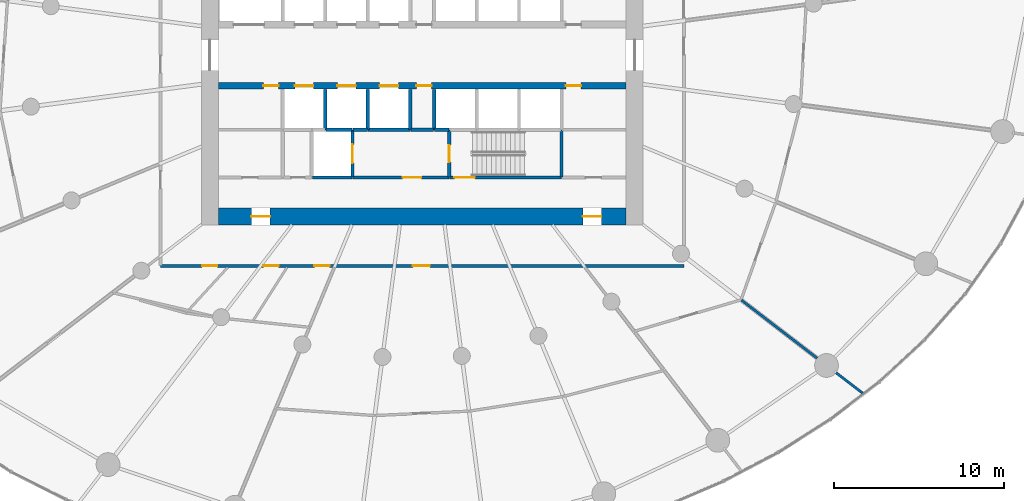
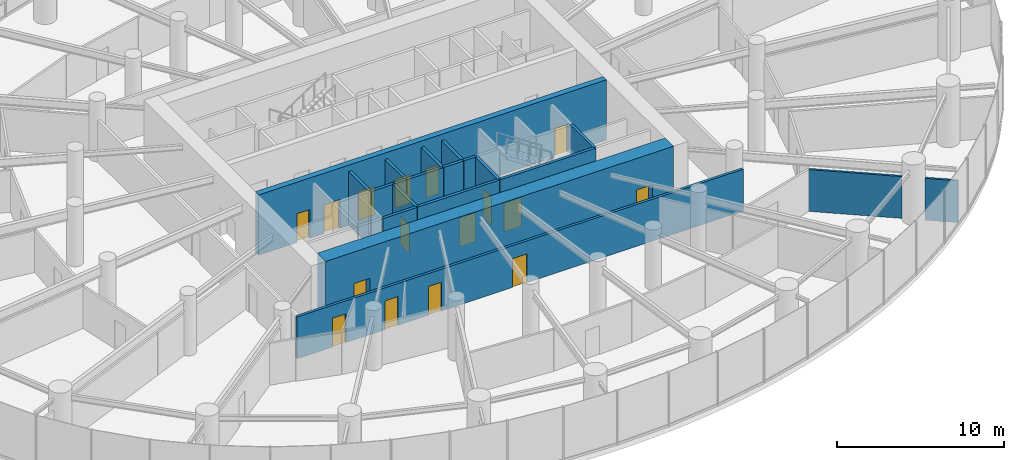
# One storey, part 13 of 19: 20 walls, 16 doors, 16 openings.
"""IFC4 building model written with IfcOpenShell, lengths in metres."""

from ifc_helpers import new_model, si_unit, direction, frame, frame_2d, origin, place, context, subcontext, project, spatial, rectangle, extrude, source, transform, mapped, material, layer, layer_set, type_object, element, fill, save


model = new_model("IFC4")

# Units and contexts
model_context = context("Model", 3, precision=1e-05, world=origin(), true_north=direction((0.0, 1.0)))
body_context = subcontext(model_context, "Body", "Model", "MODEL_VIEW")
ifc_project = project(units=[si_unit("LENGTHUNIT", "METRE"), si_unit("AREAUNIT", "SQUARE_METRE"), si_unit("VOLUMEUNIT", "CUBIC_METRE"), si_unit("PLANEANGLEUNIT", "RADIAN"), si_unit("MASSUNIT", "GRAM", prefix="KILO")], contexts=[model_context])

# Site, building, storey
site_placement = place(None, origin())
site = spatial("IfcSite", under=ifc_project, at=site_placement, CompositionType="ELEMENT")
building_placement = place(site_placement, origin())
building = spatial("IfcBuilding", under=site, at=building_placement, Name="Spindrift Exchange Tower", CompositionType="ELEMENT")
storey_placement = place(building_placement, frame((0.0, 0.0, 44.60009765625)))
storey = spatial("IfcBuildingStorey", under=building, at=storey_placement, Name="L10", CompositionType="ELEMENT", Elevation=44.60009765625)

# Wall, openings, doors
ifc_material_1 = material(Name="Concrete 80 MPa", Category="concrete")
ifc_layer_1 = layer(ifc_material_1, 1.0)
ifc_layer_set_1 = layer_set([ifc_layer_1], Name="RC Core Wall 1000 Concrete 80 MPa")
wall_type_1 = type_object("IfcWallType", Name="RC Core Wall 1000 Concrete 80 MPa", PredefinedType="SHEAR", material=ifc_layer_set_1)
wall_1_placement = place(storey_placement, frame((40.0, 38.5, 0.0), z_axis=(0.0, 0.0, 1.0), x_axis=(1.0, 0.0, 0.0)))
wall_1 = element("IfcWall", 1, at=wall_1_placement, inside=storey, type_object=wall_type_1, Name="Core wall S L10", PredefinedType="SHEAR", context=body_context, shape_type="SweptSolid", body=[
    extrude(rectangle(XDim=24.0, YDim=1.0, at=frame_2d((12.0, 0.0))), origin(), (0.0, 0.0, 1.0), 4.39990234375),
])
opening_1_placement = place(wall_1_placement, frame((21.449951171875, 0.0, 0.0)))
opening_1 = element("IfcOpeningElement", 2, at=opening_1_placement, cuts=wall_1, Name="Opening L10-D22", PredefinedType="OPENING", context=body_context, shape_type="SweptSolid", body=[
    extrude(rectangle(XDim=1.10009765625, YDim=2.10009765625, at=frame_2d((0.550048828125, 1.050048828125))), frame((0.0, 0.510009765625, 0.0), z_axis=(0.0, -1.0, 0.0), x_axis=(1.0, 0.0, 0.0)), (0.0, 0.0, 1.0), 1.02001953125),
])
opening_2_placement = place(wall_1_placement, frame((1.949951171875, 0.0, 0.0)))
opening_2 = element("IfcOpeningElement", 3, at=opening_2_placement, cuts=wall_1, Name="Opening L10-D23", PredefinedType="OPENING", context=body_context, shape_type="SweptSolid", body=[
    extrude(rectangle(XDim=1.10009765625, YDim=2.10009765625, at=frame_2d((0.550048828125, 1.050048828125))), frame((0.0, 0.510009765625, 0.0), z_axis=(0.0, -1.0, 0.0), x_axis=(1.0, 0.0, 0.0)), (0.0, 0.0, 1.0), 1.02001953125),
])
ifc_material_2 = material(Name="Steel fire door", Category="steel")
door_type_1 = type_object("IfcDoorType", Name="DR-STAIR-1100", OperationType="NOTDEFINED", PredefinedType="DOOR", material=ifc_material_2)
shared_shape_1 = source(origin(), body_context, "Body", "SweptSolid", [
    extrude(rectangle(XDim=1.10009765625, YDim=2.10009765625, at=frame_2d((0.550048828125, 1.050048828125))), frame((0.0, 0.02490234375, 0.0), z_axis=(0.0, -1.0, 0.0), x_axis=(1.0, 0.0, 0.0)), (0.0, 0.0, 1.0), 0.050048828125),
])
door_1_placement = place(opening_1_placement, origin())
door_1 = element("IfcDoor", 4, at=door_1_placement, inside=storey, type_object=door_type_1, Name="L10 Stair door 22", OperationType="SINGLE_SWING_LEFT", OverallHeight=2.10009765625, OverallWidth=1.10009765625, PredefinedType="DOOR", context=body_context, shape_type="MappedRepresentation", body=[
    mapped(shared_shape_1, transform((0.0, 0.0, 0.0), scale=1.0)),
])
fill(opening_1, door_1)
door_2_placement = place(opening_2_placement, origin())
door_2 = element("IfcDoor", 5, at=door_2_placement, inside=storey, type_object=door_type_1, Name="L10 Stair door 23", OperationType="SINGLE_SWING_RIGHT", OverallHeight=2.10009765625, OverallWidth=1.10009765625, PredefinedType="DOOR", context=body_context, shape_type="MappedRepresentation", body=[
    mapped(shared_shape_1, transform((0.0, 0.0, 0.0), scale=1.0)),
])
fill(opening_2, door_2)

ifc_layer_2 = layer(ifc_material_1, 0.39990234375)
ifc_layer_set_2 = layer_set([ifc_layer_2], Name="RC Spine Wall 400 Concrete 80 MPa")
wall_type_2 = type_object("IfcWallType", Name="RC Spine Wall 400 Concrete 80 MPa", PredefinedType="SHEAR", material=ifc_layer_set_2)
wall_2_placement = place(storey_placement, frame((40.0, 46.199951171875, 0.0), z_axis=(0.0, 0.0, 1.0), x_axis=(1.0, 0.0, 0.0)))
wall_2 = element("IfcWall", 6, at=wall_2_placement, inside=storey, type_object=wall_type_2, Name="Core spine wall S L10", PredefinedType="SHEAR", context=body_context, shape_type="SweptSolid", body=[
    extrude(rectangle(XDim=24.0, YDim=0.39990234375, at=frame_2d((12.0, 0.0))), origin(), (0.0, 0.0, 1.0), 4.39990234375),
])
opening_3_placement = place(wall_2_placement, frame((4.5, 0.0, 0.0)))
opening_3 = element("IfcOpeningElement", 7, at=opening_3_placement, cuts=wall_2, Name="Opening L10-D6", PredefinedType="OPENING", context=body_context, shape_type="SweptSolid", body=[
    extrude(rectangle(XDim=1.10009765625, YDim=2.10009765625, at=frame_2d((0.550048828125, 1.050048828125))), frame((0.0, 0.2099609375, 0.0), z_axis=(0.0, -1.0, 0.0), x_axis=(1.0, 0.0, 0.0)), (0.0, 0.0, 1.0), 0.419921875),
])
opening_4_placement = place(wall_2_placement, frame((7.0, 0.0, 0.0)))
opening_4 = element("IfcOpeningElement", 8, at=opening_4_placement, cuts=wall_2, Name="Opening L10-D7", PredefinedType="OPENING", context=body_context, shape_type="SweptSolid", body=[
    extrude(rectangle(XDim=1.10009765625, YDim=2.10009765625, at=frame_2d((0.550048828125, 1.050048828125))), frame((0.0, 0.2099609375, 0.0), z_axis=(0.0, -1.0, 0.0), x_axis=(1.0, 0.0, 0.0)), (0.0, 0.0, 1.0), 0.419921875),
])
opening_5_placement = place(wall_2_placement, frame((9.5, 0.0, 0.0)))
opening_5 = element("IfcOpeningElement", 9, at=opening_5_placement, cuts=wall_2, Name="Opening L10-D8", PredefinedType="OPENING", context=body_context, shape_type="SweptSolid", body=[
    extrude(rectangle(XDim=1.10009765625, YDim=2.10009765625, at=frame_2d((0.550048828125, 1.050048828125))), frame((0.0, 0.2099609375, 0.0), z_axis=(0.0, -1.0, 0.0), x_axis=(1.0, 0.0, 0.0)), (0.0, 0.0, 1.0), 0.419921875),
])
opening_6_placement = place(wall_2_placement, frame((20.449951171875, 0.0, 0.0)))
opening_6 = element("IfcOpeningElement", 10, at=opening_6_placement, cuts=wall_2, Name="Opening L10-D49", PredefinedType="OPENING", context=body_context, shape_type="SweptSolid", body=[
    extrude(rectangle(XDim=0.89990234375, YDim=2.10009765625, at=frame_2d((0.449951171875, 1.050048828125))), frame((0.0, 0.2099609375, 0.0), z_axis=(0.0, -1.0, 0.0), x_axis=(1.0, 0.0, 0.0)), (0.0, 0.0, 1.0), 0.419921875),
])
opening_7_placement = place(wall_2_placement, frame((2.64990234375, 0.0, 0.0)))
opening_7 = element("IfcOpeningElement", 11, at=opening_7_placement, cuts=wall_2, Name="Opening L10-D54", PredefinedType="OPENING", context=body_context, shape_type="SweptSolid", body=[
    extrude(rectangle(XDim=0.89990234375, YDim=2.10009765625, at=frame_2d((0.449951171875, 1.050048828125))), frame((0.0, 0.2099609375, 0.0), z_axis=(0.0, -1.0, 0.0), x_axis=(1.0, 0.0, 0.0)), (0.0, 0.0, 1.0), 0.419921875),
])
opening_8_placement = place(wall_2_placement, frame((11.64990234375, 0.0, 0.0)))
opening_8 = element("IfcOpeningElement", 12, at=opening_8_placement, cuts=wall_2, Name="Opening L10-D56", PredefinedType="OPENING", context=body_context, shape_type="SweptSolid", body=[
    extrude(rectangle(XDim=0.89990234375, YDim=2.10009765625, at=frame_2d((0.449951171875, 1.050048828125))), frame((0.0, 0.2099609375, 0.0), z_axis=(0.0, -1.0, 0.0), x_axis=(1.0, 0.0, 0.0)), (0.0, 0.0, 1.0), 0.419921875),
])
ifc_material_3 = material(Name="Stainless steel landing door", Category="steel")
door_type_2 = type_object("IfcDoorType", Name="DR-LANDING-1100-SL", OperationType="DOUBLE_DOOR_SLIDING", PredefinedType="USERDEFINED", material=ifc_material_3)
shared_shape_2 = source(origin(), body_context, "Body", "SweptSolid", [
    extrude(rectangle(XDim=1.10009765625, YDim=2.10009765625, at=frame_2d((0.550048828125, 1.050048828125))), frame((0.0, 0.02490234375, 0.0), z_axis=(0.0, -1.0, 0.0), x_axis=(1.0, 0.0, 0.0)), (0.0, 0.0, 1.0), 0.050048828125),
])
door_3_placement = place(opening_3_placement, origin())
door_3 = element("IfcDoor", 13, at=door_3_placement, inside=storey, type_object=door_type_2, Name="L10 Lift landing door 6", ObjectType="LANDING DOOR", OperationType="DOUBLE_DOOR_SLIDING", OverallHeight=2.10009765625, OverallWidth=1.10009765625, PredefinedType="USERDEFINED", context=body_context, shape_type="MappedRepresentation", body=[
    mapped(shared_shape_2, transform((0.0, 0.0, 0.0), scale=1.0)),
])
fill(opening_3, door_3)
door_4_placement = place(opening_4_placement, origin())
door_4 = element("IfcDoor", 14, at=door_4_placement, inside=storey, type_object=door_type_2, Name="L10 Lift landing door 7", ObjectType="LANDING DOOR", OperationType="DOUBLE_DOOR_SLIDING", OverallHeight=2.10009765625, OverallWidth=1.10009765625, PredefinedType="USERDEFINED", context=body_context, shape_type="MappedRepresentation", body=[
    mapped(shared_shape_2, transform((0.0, 0.0, 0.0), scale=1.0)),
])
fill(opening_4, door_4)
door_5_placement = place(opening_5_placement, origin())
door_5 = element("IfcDoor", 15, at=door_5_placement, inside=storey, type_object=door_type_2, Name="L10 Lift landing door 8", ObjectType="LANDING DOOR", OperationType="DOUBLE_DOOR_SLIDING", OverallHeight=2.10009765625, OverallWidth=1.10009765625, PredefinedType="USERDEFINED", context=body_context, shape_type="MappedRepresentation", body=[
    mapped(shared_shape_2, transform((0.0, 0.0, 0.0), scale=1.0)),
])
fill(opening_5, door_5)
ifc_material_4 = material(Name="Steel access door", Category="steel")
door_type_3 = type_object("IfcDoorType", Name="DR-RISER-900", OperationType="NOTDEFINED", PredefinedType="DOOR", material=ifc_material_4)
shared_shape_3 = source(origin(), body_context, "Body", "SweptSolid", [
    extrude(rectangle(XDim=0.89990234375, YDim=2.10009765625, at=frame_2d((0.449951171875, 1.050048828125))), frame((0.0, 0.02490234375, 0.0), z_axis=(0.0, -1.0, 0.0), x_axis=(1.0, 0.0, 0.0)), (0.0, 0.0, 1.0), 0.050048828125),
])
door_6_placement = place(opening_6_placement, origin())
door_6 = element("IfcDoor", 16, at=door_6_placement, inside=storey, type_object=door_type_3, Name="L10 Riser door 49", OperationType="SINGLE_SWING_RIGHT", OverallHeight=2.10009765625, OverallWidth=0.89990234375, PredefinedType="DOOR", context=body_context, shape_type="MappedRepresentation", body=[
    mapped(shared_shape_3, transform((0.0, 0.0, 0.0), scale=1.0)),
])
fill(opening_6, door_6)
door_7_placement = place(opening_7_placement, origin())
door_7 = element("IfcDoor", 17, at=door_7_placement, inside=storey, type_object=door_type_3, Name="L10 Riser door 54", OperationType="SINGLE_SWING_LEFT", OverallHeight=2.10009765625, OverallWidth=0.89990234375, PredefinedType="DOOR", context=body_context, shape_type="MappedRepresentation", body=[
    mapped(shared_shape_3, transform((0.0, 0.0, 0.0), scale=1.0)),
])
fill(opening_7, door_7)
door_8_placement = place(opening_8_placement, origin())
door_8 = element("IfcDoor", 18, at=door_8_placement, inside=storey, type_object=door_type_3, Name="L10 Riser door 56", OperationType="SINGLE_SWING_LEFT", OverallHeight=2.10009765625, OverallWidth=0.89990234375, PredefinedType="DOOR", context=body_context, shape_type="MappedRepresentation", body=[
    mapped(shared_shape_3, transform((0.0, 0.0, 0.0), scale=1.0)),
])
fill(opening_8, door_8)

ifc_material_5 = material(Name="Fire-rated plasterboard partition", Category="gypsum")
ifc_layer_3 = layer(ifc_material_5, 0.179931640625)
ifc_layer_set_3 = layer_set([ifc_layer_3], Name="W-CORR-180")
wall_type_3 = type_object("IfcWallType", Name="W-CORR-180", PredefinedType="PARTITIONING", material=ifc_layer_set_3)
wall_3_placement = place(storey_placement, frame((67.39990234375, 35.60009765625, 0.0), z_axis=(0.0, 0.0, 1.0), x_axis=(-1.0, 0.0, 0.0)))
wall_3 = element("IfcWall", 19, at=wall_3_placement, inside=storey, type_object=wall_type_3, Name="L10 Partition wall 57", PredefinedType="PARTITIONING", context=body_context, shape_type="SweptSolid", body=[
    extrude(rectangle(XDim=30.7998046875, YDim=0.179931640625, at=frame_2d((15.39990234375, 0.0))), origin(), (0.0, 0.0, 1.0), 3.0498046875),
])
opening_9_placement = place(wall_3_placement, frame((27.449951171875, 0.0, 0.0)))
opening_9 = element("IfcOpeningElement", 20, at=opening_9_placement, cuts=wall_3, Name="Opening L10-D24", PredefinedType="OPENING", context=body_context, shape_type="SweptSolid", body=[
    extrude(rectangle(XDim=0.89990234375, YDim=2.10009765625, at=frame_2d((0.449951171875, 1.050048828125))), frame((0.0, 0.099853515625, 0.0), z_axis=(0.0, -1.0, 0.0), x_axis=(1.0, 0.0, 0.0)), (0.0, 0.0, 1.0), 0.199951171875),
])
opening_10_placement = place(wall_3_placement, frame((23.85009765625, 0.0, 0.0)))
opening_10 = element("IfcOpeningElement", 21, at=opening_10_placement, cuts=wall_3, Name="Opening L10-D25", PredefinedType="OPENING", context=body_context, shape_type="SweptSolid", body=[
    extrude(rectangle(XDim=0.89990234375, YDim=2.10009765625, at=frame_2d((0.449951171875, 1.050048828125))), frame((0.0, 0.099853515625, 0.0), z_axis=(0.0, -1.0, 0.0), x_axis=(1.0, 0.0, 0.0)), (0.0, 0.0, 1.0), 0.199951171875),
])
opening_11_placement = place(wall_3_placement, frame((20.85009765625, 0.0, 0.0)))
opening_11 = element("IfcOpeningElement", 22, at=opening_11_placement, cuts=wall_3, Name="Opening L10-D26", PredefinedType="OPENING", context=body_context, shape_type="SweptSolid", body=[
    extrude(rectangle(XDim=0.89990234375, YDim=2.10009765625, at=frame_2d((0.449951171875, 1.050048828125))), frame((0.0, 0.099853515625, 0.0), z_axis=(0.0, -1.0, 0.0), x_axis=(1.0, 0.0, 0.0)), (0.0, 0.0, 1.0), 0.199951171875),
])
opening_12_placement = place(wall_3_placement, frame((14.949951171875, 0.0, 0.0)))
opening_12 = element("IfcOpeningElement", 23, at=opening_12_placement, cuts=wall_3, Name="Opening L10-D27", PredefinedType="OPENING", context=body_context, shape_type="SweptSolid", body=[
    extrude(rectangle(XDim=1.0, YDim=2.10009765625, at=frame_2d((0.5, 1.050048828125))), frame((0.0, 0.099853515625, 0.0), z_axis=(0.0, -1.0, 0.0), x_axis=(1.0, 0.0, 0.0)), (0.0, 0.0, 1.0), 0.199951171875),
])
ifc_material_6 = material(Name="Timber-core fire door", Category="wood")
door_type_4 = type_object("IfcDoorType", Name="DR-ROOM-1000", OperationType="NOTDEFINED", PredefinedType="DOOR", material=ifc_material_6)
shared_shape_4 = source(origin(), body_context, "Body", "SweptSolid", [
    extrude(rectangle(XDim=1.0, YDim=2.10009765625, at=frame_2d((0.5, 1.050048828125))), frame((0.0, 0.02490234375, 0.0), z_axis=(0.0, -1.0, 0.0), x_axis=(1.0, 0.0, 0.0)), (0.0, 0.0, 1.0), 0.050048828125),
])
door_9_placement = place(opening_12_placement, origin())
door_9 = element("IfcDoor", 24, at=door_9_placement, inside=storey, type_object=door_type_4, Name="L10 Door 27", OperationType="SINGLE_SWING_RIGHT", OverallHeight=2.10009765625, OverallWidth=1.0, PredefinedType="DOOR", context=body_context, shape_type="MappedRepresentation", body=[
    mapped(shared_shape_4, transform((0.0, 0.0, 0.0), scale=1.0)),
])
fill(opening_12, door_9)
ifc_material_7 = material(Name="Laminate washroom door", Category="wood")
door_type_5 = type_object("IfcDoorType", Name="DR-WC-900", OperationType="NOTDEFINED", PredefinedType="DOOR", material=ifc_material_7)
shared_shape_5 = source(origin(), body_context, "Body", "SweptSolid", [
    extrude(rectangle(XDim=0.89990234375, YDim=2.10009765625, at=frame_2d((0.449951171875, 1.050048828125))), frame((0.0, 0.02490234375, 0.0), z_axis=(0.0, -1.0, 0.0), x_axis=(1.0, 0.0, 0.0)), (0.0, 0.0, 1.0), 0.050048828125),
])
door_10_placement = place(opening_9_placement, origin())
door_10 = element("IfcDoor", 25, at=door_10_placement, inside=storey, type_object=door_type_5, Name="L10 WC door 24", OperationType="SINGLE_SWING_LEFT", OverallHeight=2.10009765625, OverallWidth=0.89990234375, PredefinedType="DOOR", context=body_context, shape_type="MappedRepresentation", body=[
    mapped(shared_shape_5, transform((0.0, 0.0, 0.0), scale=1.0)),
])
fill(opening_9, door_10)
door_11_placement = place(opening_10_placement, origin())
door_11 = element("IfcDoor", 26, at=door_11_placement, inside=storey, type_object=door_type_5, Name="L10 WC door 25", OperationType="SINGLE_SWING_RIGHT", OverallHeight=2.10009765625, OverallWidth=0.89990234375, PredefinedType="DOOR", context=body_context, shape_type="MappedRepresentation", body=[
    mapped(shared_shape_5, transform((0.0, 0.0, 0.0), scale=1.0)),
])
fill(opening_10, door_11)
door_12_placement = place(opening_11_placement, origin())
door_12 = element("IfcDoor", 27, at=door_12_placement, inside=storey, type_object=door_type_5, Name="L10 WC door 26", OperationType="SINGLE_SWING_LEFT", OverallHeight=2.10009765625, OverallWidth=0.89990234375, PredefinedType="DOOR", context=body_context, shape_type="MappedRepresentation", body=[
    mapped(shared_shape_5, transform((0.0, 0.0, 0.0), scale=1.0)),
])
fill(opening_11, door_12)

# Walls
ifc_layer_4 = layer(ifc_material_5, 0.139892578125)
ifc_layer_set_4 = layer_set([ifc_layer_4], Name="W-PART-140")
wall_type_4 = type_object("IfcWallType", Name="W-PART-140", PredefinedType="PARTITIONING", material=ifc_layer_set_4)
wall_4_placement = place(storey_placement, frame((70.792724609375, 33.579833984375, 0.0), z_axis=(0.0, 0.0, 1.0), x_axis=(0.793369467151, -0.6087404115, 0.0)))
element("IfcWall", 28, at=wall_4_placement, inside=storey, type_object=wall_type_4, Name="L10 Partition wall 88", PredefinedType="PARTITIONING", context=body_context, shape_type="SweptSolid", body=[
    extrude(rectangle(XDim=5.60791015625, YDim=0.139892578125, at=frame_2d((2.803955078125, 0.0))), origin(), (0.0, 0.0, 1.0), 3.0498046875),
])
wall_5_placement = place(storey_placement, frame((76.359375, 29.30859375, 0.0), z_axis=(0.0, 0.0, 1.0), x_axis=(0.793312100237, -0.608815170325, 0.0)))
element("IfcWall", 29, at=wall_5_placement, inside=storey, type_object=wall_type_4, Name="L10 Partition wall 120", PredefinedType="PARTITIONING", context=body_context, shape_type="SweptSolid", body=[
    extrude(rectangle(XDim=1.97705078125, YDim=0.139892578125, at=frame_2d((0.988525390625, 0.0))), origin(), (0.0, 0.0, 1.0), 3.0498046875),
])

# Wall, opening, door
ifc_material_8 = material(Name="Concrete 40 MPa", Category="concrete")
ifc_layer_5 = layer(ifc_material_8, 0.199951171875)
ifc_layer_set_5 = layer_set([ifc_layer_5], Name="W-SHAFT-200")
wall_type_5 = type_object("IfcWallType", Name="W-SHAFT-200", PredefinedType="SOLIDWALL", material=ifc_layer_set_5)
wall_6_placement = place(storey_placement, frame((47.89990234375, 40.830078125, 0.0), z_axis=(0.0, 0.0, 1.0), x_axis=(0.0, 1.0, 0.0)))
wall_6 = element("IfcWall", 30, at=wall_6_placement, inside=storey, type_object=wall_type_5, Name="L10 Shaft wall 8", PredefinedType="SOLIDWALL", context=body_context, shape_type="SweptSolid", body=[
    extrude(rectangle(XDim=2.77001953125, YDim=0.199951171875, at=frame_2d((1.385009765625, 0.0))), origin(), (0.0, 0.0, 1.0), 3.949951171875),
])
opening_13_placement = place(wall_6_placement, frame((0.820068359375, 0.0, 0.0)))
opening_13 = element("IfcOpeningElement", 31, at=opening_13_placement, cuts=wall_6, Name="Opening L10-D10", PredefinedType="OPENING", context=body_context, shape_type="SweptSolid", body=[
    extrude(rectangle(XDim=1.10009765625, YDim=2.10009765625, at=frame_2d((0.550048828125, 1.050048828125))), frame((0.0, 0.10986328125, 0.0), z_axis=(0.0, -1.0, 0.0), x_axis=(1.0, 0.0, 0.0)), (0.0, 0.0, 1.0), 0.219970703125),
])
door_13_placement = place(opening_13_placement, origin())
door_13 = element("IfcDoor", 32, at=door_13_placement, inside=storey, type_object=door_type_2, Name="L10 Lift landing door 10", ObjectType="LANDING DOOR", OperationType="DOUBLE_DOOR_SLIDING", OverallHeight=2.10009765625, OverallWidth=1.10009765625, PredefinedType="USERDEFINED", context=body_context, shape_type="MappedRepresentation", body=[
    mapped(shared_shape_2, transform((0.0, 0.0, 0.0), scale=1.0)),
])
fill(opening_13, door_13)

# Walls
wall_7_placement = place(storey_placement, frame((48.800048828125, 43.60009765625, 0.0), z_axis=(0.0, 0.0, 1.0), x_axis=(1.0, 0.0, 0.0)))
element("IfcWall", 33, at=wall_7_placement, inside=storey, type_object=wall_type_5, Name="L10 Shaft wall 17", PredefinedType="SOLIDWALL", context=body_context, shape_type="SweptSolid", body=[
    extrude(rectangle(XDim=2.5, YDim=0.199951171875, at=frame_2d((1.25, 0.0))), origin(), (0.0, 0.0, 1.0), 3.949951171875),
])
wall_8_placement = place(storey_placement, frame((45.530029296875, 40.800048828125, 0.0), z_axis=(0.0, 0.0, 1.0), x_axis=(1.0, 0.0, 0.0)))
element("IfcWall", 34, at=wall_8_placement, inside=storey, type_object=wall_type_5, Name="L10 Shaft wall 21", PredefinedType="SOLIDWALL", context=body_context, shape_type="SweptSolid", body=[
    extrude(rectangle(XDim=2.340087890625, YDim=0.199951171875, at=frame_2d((1.169921875, 0.0))), origin(), (0.0, 0.0, 1.0), 3.949951171875),
])
wall_9_placement = place(storey_placement, frame((46.300048828125, 43.60009765625, 0.0), z_axis=(0.0, 0.0, 1.0), x_axis=(0.0, 1.0, 0.0)))
element("IfcWall", 35, at=wall_9_placement, inside=storey, type_object=wall_type_5, Name="L10 Shaft wall 25", PredefinedType="SOLIDWALL", context=body_context, shape_type="SweptSolid", body=[
    extrude(rectangle(XDim=2.389892578125, YDim=0.199951171875, at=frame_2d((1.19482421875, 0.0))), origin(), (0.0, 0.0, 1.0), 3.949951171875),
])
for number, where, z_axis, x_axis, name in (
    (36, (48.800048828125, 43.6298828125, 0.0), (0.0, 0.0, 1.0), (0.0, 1.0, 0.0), "L10 Shaft wall 27"),
    (37, (51.300048828125, 43.6298828125, 0.0), (0.0, 0.0, 1.0), (0.0, 1.0, 0.0), "L10 Shaft wall 29"),
):
    element("IfcWall", number, at=place(storey_placement, frame(where, z_axis=z_axis, x_axis=x_axis)), inside=storey, type_object=wall_type_5, Name=name, PredefinedType="SOLIDWALL", context=body_context, shape_type="SweptSolid", body=[
        extrude(rectangle(XDim=2.360107421875, YDim=0.199951171875, at=frame_2d((1.18017578125, 0.0))), origin(), (0.0, 0.0, 1.0), 3.949951171875),
    ])
wall_10_placement = place(storey_placement, frame((52.699951171875, 45.989990234375, 0.0), z_axis=(0.0, 0.0, 1.0), x_axis=(0.0, -1.0, 0.0)))
element("IfcWall", 38, at=wall_10_placement, inside=storey, type_object=wall_type_5, Name="L10 Shaft wall 31", PredefinedType="SOLIDWALL", context=body_context, shape_type="SweptSolid", body=[
    extrude(rectangle(XDim=2.389892578125, YDim=0.199951171875, at=frame_2d((1.19482421875, 0.0))), origin(), (0.0, 0.0, 1.0), 3.949951171875),
])
wall_11_placement = place(storey_placement, frame((46.330078125, 43.60009765625, 0.0), z_axis=(0.0, 0.0, 1.0), x_axis=(1.0, 0.0, 0.0)))
element("IfcWall", 39, at=wall_11_placement, inside=storey, type_object=wall_type_5, Name="L10 Shaft wall 44", PredefinedType="SOLIDWALL", context=body_context, shape_type="SweptSolid", body=[
    extrude(rectangle(XDim=1.5400390625, YDim=0.199951171875, at=frame_2d((0.77001953125, 0.0))), origin(), (0.0, 0.0, 1.0), 3.949951171875),
])
wall_12_placement = place(storey_placement, frame((52.669921875, 43.60009765625, 0.0), z_axis=(0.0, 0.0, 1.0), x_axis=(-1.0, 0.0, 0.0)))
element("IfcWall", 40, at=wall_12_placement, inside=storey, type_object=wall_type_5, Name="L10 Shaft wall 48", PredefinedType="SOLIDWALL", context=body_context, shape_type="SweptSolid", body=[
    extrude(rectangle(XDim=1.33984375, YDim=0.199951171875, at=frame_2d((0.669921875, 0.0))), origin(), (0.0, 0.0, 1.0), 3.949951171875),
])
wall_13_placement = place(storey_placement, frame((47.929931640625, 43.60009765625, 0.0), z_axis=(0.0, 0.0, 1.0), x_axis=(1.0, 0.0, 0.0)))
element("IfcWall", 41, at=wall_13_placement, inside=storey, type_object=wall_type_5, Name="L10 Shaft wall 50", PredefinedType="SOLIDWALL", context=body_context, shape_type="SweptSolid", body=[
    extrude(rectangle(XDim=0.840087890625, YDim=0.199951171875, at=frame_2d((0.419921875, 0.0))), origin(), (0.0, 0.0, 1.0), 3.949951171875),
])

# Wall, opening, door
ifc_layer_6 = layer(ifc_material_8, 0.199951171875)
ifc_layer_set_6 = layer_set([ifc_layer_6], Name="W-SHAFT-200-LB")
wall_type_6 = type_object("IfcWallType", Name="W-SHAFT-200-LB", PredefinedType="SOLIDWALL", material=ifc_layer_set_6)
wall_14_placement = place(storey_placement, frame((53.60009765625, 40.800048828125, 0.0), z_axis=(0.0, 0.0, 1.0), x_axis=(1.0, 0.0, 0.0)))
wall_14 = element("IfcWall", 42, at=wall_14_placement, inside=storey, type_object=wall_type_6, Name="L10 Shaft wall 2", PredefinedType="SOLIDWALL", context=body_context, shape_type="SweptSolid", body=[
    extrude(rectangle(XDim=6.599853515625, YDim=0.199951171875, at=frame_2d((3.2998046875, 0.0))), origin(), (0.0, 0.0, 1.0), 3.949951171875),
])
opening_14_placement = place(wall_14_placement, frame((0.300048828125, 0.0, 0.0)))
opening_14 = element("IfcOpeningElement", 43, at=opening_14_placement, cuts=wall_14, Name="Opening L10-D16", PredefinedType="OPENING", context=body_context, shape_type="SweptSolid", body=[
    extrude(rectangle(XDim=1.199951171875, YDim=2.10009765625, at=frame_2d((0.60009765625, 1.050048828125))), frame((0.0, 0.10986328125, 0.0), z_axis=(0.0, -1.0, 0.0), x_axis=(1.0, 0.0, 0.0)), (0.0, 0.0, 1.0), 0.219970703125),
])
door_type_6 = type_object("IfcDoorType", Name="DR-STAIR-1200", OperationType="NOTDEFINED", PredefinedType="DOOR", material=ifc_material_2)
shared_shape_6 = source(origin(), body_context, "Body", "SweptSolid", [
    extrude(rectangle(XDim=1.199951171875, YDim=2.10009765625, at=frame_2d((0.60009765625, 1.050048828125))), frame((0.0, 0.02490234375, 0.0), z_axis=(0.0, -1.0, 0.0), x_axis=(1.0, 0.0, 0.0)), (0.0, 0.0, 1.0), 0.050048828125),
])
door_14_placement = place(opening_14_placement, origin())
door_14 = element("IfcDoor", 44, at=door_14_placement, inside=storey, type_object=door_type_6, Name="L10 Stair door 16", OperationType="SINGLE_SWING_LEFT", OverallHeight=2.10009765625, OverallWidth=1.199951171875, PredefinedType="DOOR", context=body_context, shape_type="MappedRepresentation", body=[
    mapped(shared_shape_6, transform((0.0, 0.0, 0.0), scale=1.0)),
])
fill(opening_14, door_14)

wall_15_placement = place(storey_placement, frame((47.89990234375, 40.800048828125, 0.0), z_axis=(0.0, 0.0, 1.0), x_axis=(1.0, 0.0, 0.0)))
wall_15 = element("IfcWall", 45, at=wall_15_placement, inside=storey, type_object=wall_type_6, Name="L10 Shaft wall 3", PredefinedType="SOLIDWALL", context=body_context, shape_type="SweptSolid", body=[
    extrude(rectangle(XDim=5.670166015625, YDim=0.199951171875, at=frame_2d((2.8349609375, 0.0))), origin(), (0.0, 0.0, 1.0), 3.949951171875),
])
opening_15_placement = place(wall_15_placement, frame((2.949951171875, 0.0, 0.0)))
opening_15 = element("IfcOpeningElement", 46, at=opening_15_placement, cuts=wall_15, Name="Opening L10-D18", PredefinedType="OPENING", context=body_context, shape_type="SweptSolid", body=[
    extrude(rectangle(XDim=1.10009765625, YDim=2.10009765625, at=frame_2d((0.550048828125, 1.050048828125))), frame((0.0, 0.10986328125, 0.0), z_axis=(0.0, -1.0, 0.0), x_axis=(1.0, 0.0, 0.0)), (0.0, 0.0, 1.0), 0.219970703125),
])
door_type_7 = type_object("IfcDoorType", Name="DR-LOBBY-1100", OperationType="NOTDEFINED", PredefinedType="DOOR", material=ifc_material_6)
shared_shape_7 = source(origin(), body_context, "Body", "SweptSolid", [
    extrude(rectangle(XDim=1.10009765625, YDim=2.10009765625, at=frame_2d((0.550048828125, 1.050048828125))), frame((0.0, 0.02490234375, 0.0), z_axis=(0.0, -1.0, 0.0), x_axis=(1.0, 0.0, 0.0)), (0.0, 0.0, 1.0), 0.050048828125),
])
door_15_placement = place(opening_15_placement, origin())
door_15 = element("IfcDoor", 47, at=door_15_placement, inside=storey, type_object=door_type_7, Name="L10 Lobby door 18", OperationType="SINGLE_SWING_LEFT", OverallHeight=2.10009765625, OverallWidth=1.10009765625, PredefinedType="DOOR", context=body_context, shape_type="MappedRepresentation", body=[
    mapped(shared_shape_7, transform((0.0, 0.0, 0.0), scale=1.0)),
])
fill(opening_15, door_15)

# Wall
wall_16_placement = place(storey_placement, frame((60.199951171875, 40.830078125, 0.0), z_axis=(0.0, 0.0, 1.0), x_axis=(0.0, 1.0, 0.0)))
element("IfcWall", 48, at=wall_16_placement, inside=storey, type_object=wall_type_6, Name="L10 Shaft wall 10", PredefinedType="SOLIDWALL", context=body_context, shape_type="SweptSolid", body=[
    extrude(rectangle(XDim=2.77001953125, YDim=0.199951171875, at=frame_2d((1.385009765625, 0.0))), origin(), (0.0, 0.0, 1.0), 3.949951171875),
])

# Wall, opening, door
wall_17_placement = place(storey_placement, frame((53.60009765625, 43.60009765625, 0.0), z_axis=(0.0, 0.0, 1.0), x_axis=(0.0, -1.0, 0.0)))
wall_17 = element("IfcWall", 49, at=wall_17_placement, inside=storey, type_object=wall_type_6, Name="L10 Shaft wall 11", PredefinedType="SOLIDWALL", context=body_context, shape_type="SweptSolid", body=[
    extrude(rectangle(XDim=2.77001953125, YDim=0.199951171875, at=frame_2d((1.385009765625, 0.0))), origin(), (0.0, 0.0, 1.0), 3.949951171875),
])
opening_16_placement = place(wall_17_placement, frame((0.89990234375, 0.0, 0.0)))
opening_16 = element("IfcOpeningElement", 50, at=opening_16_placement, cuts=wall_17, Name="Opening L10-D17", PredefinedType="OPENING", context=body_context, shape_type="SweptSolid", body=[
    extrude(rectangle(XDim=1.0, YDim=2.10009765625, at=frame_2d((0.5, 1.050048828125))), frame((0.0, 0.10986328125, 0.0), z_axis=(0.0, -1.0, 0.0), x_axis=(1.0, 0.0, 0.0)), (0.0, 0.0, 1.0), 0.219970703125),
])
door_type_8 = type_object("IfcDoorType", Name="DR-STAIR-1000", OperationType="NOTDEFINED", PredefinedType="DOOR", material=ifc_material_2)
shared_shape_8 = source(origin(), body_context, "Body", "SweptSolid", [
    extrude(rectangle(XDim=1.0, YDim=2.10009765625, at=frame_2d((0.5, 1.050048828125))), frame((0.0, 0.02490234375, 0.0), z_axis=(0.0, -1.0, 0.0), x_axis=(1.0, 0.0, 0.0)), (0.0, 0.0, 1.0), 0.050048828125),
])
door_16_placement = place(opening_16_placement, origin())
door_16 = element("IfcDoor", 51, at=door_16_placement, inside=storey, type_object=door_type_8, Name="L10 Stair door 17", OperationType="SINGLE_SWING_RIGHT", OverallHeight=2.10009765625, OverallWidth=1.0, PredefinedType="DOOR", context=body_context, shape_type="MappedRepresentation", body=[
    mapped(shared_shape_8, transform((0.0, 0.0, 0.0), scale=1.0)),
])
fill(opening_16, door_16)

# Wall
wall_18_placement = place(storey_placement, frame((52.72998046875, 43.60009765625, 0.0), z_axis=(0.0, 0.0, 1.0), x_axis=(1.0, 0.0, 0.0)))
element("IfcWall", 52, at=wall_18_placement, inside=storey, type_object=wall_type_6, Name="L10 Shaft wall 52", PredefinedType="SOLIDWALL", context=body_context, shape_type="SweptSolid", body=[
    extrude(rectangle(XDim=0.840087890625, YDim=0.199951171875, at=frame_2d((0.419921875, 0.0))), origin(), (0.0, 0.0, 1.0), 3.949951171875),
])

save(model, "model.ifc")
